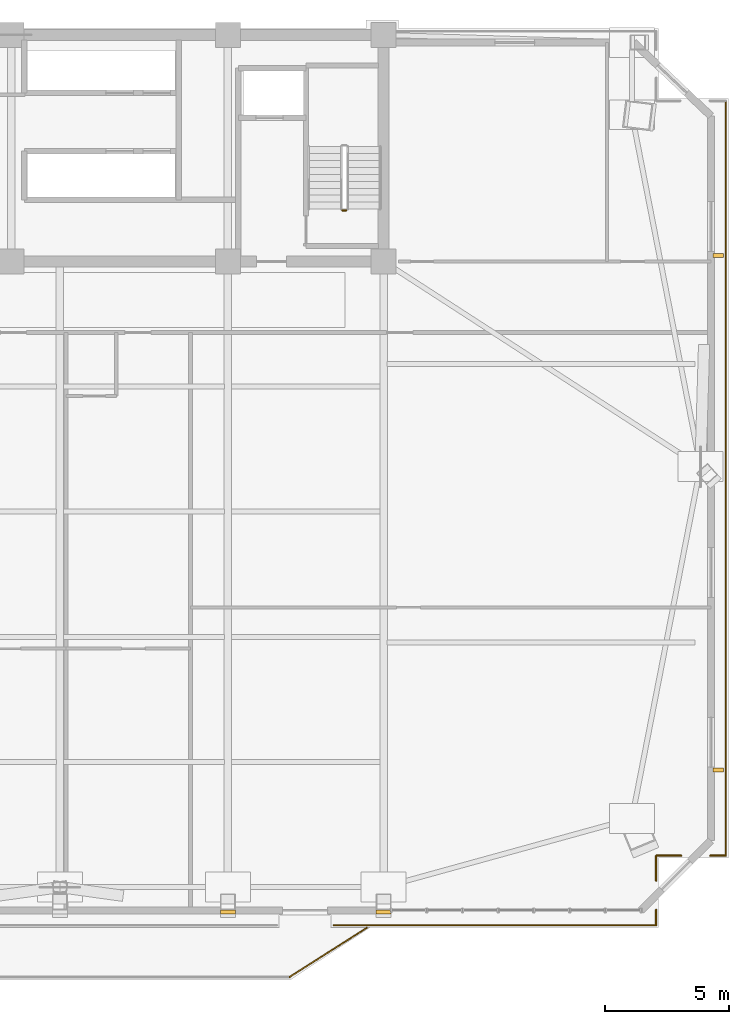
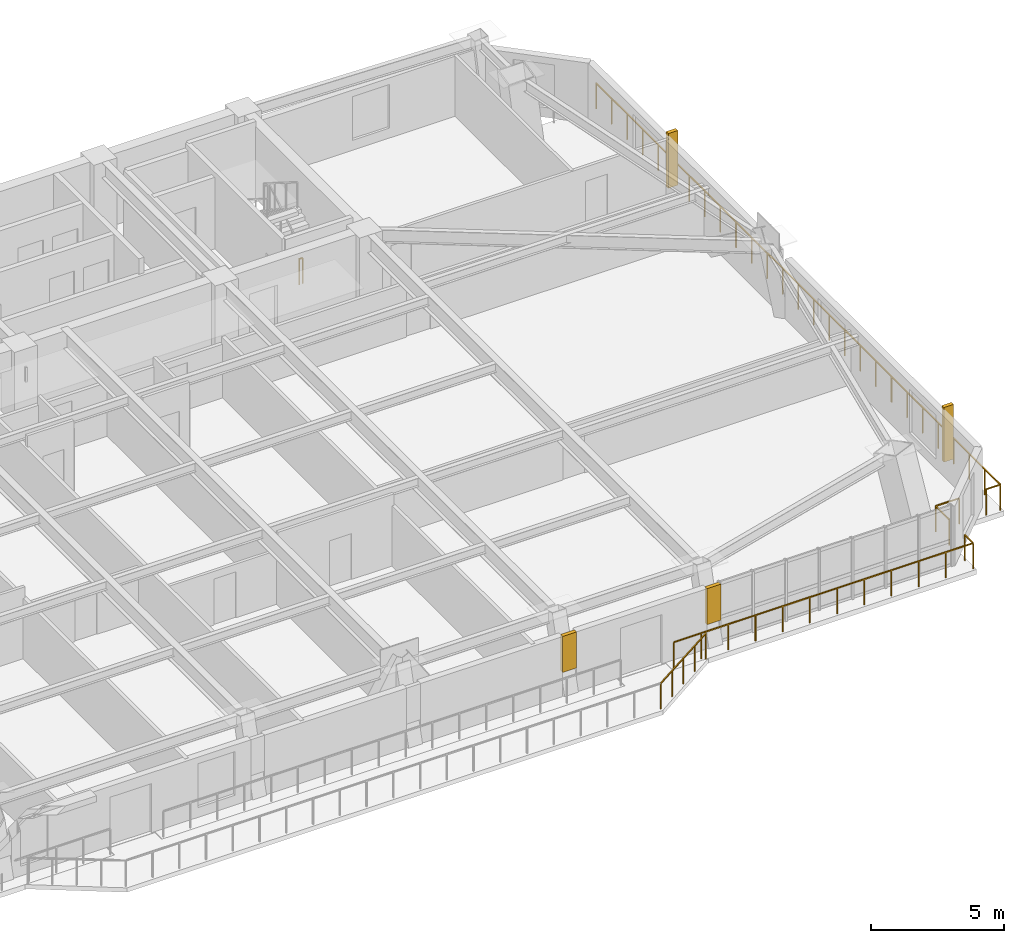
# One storey, part 14 of 16: 8 railings, 2 coverings, 2 shading devices.
"""IFC4 building model written with IfcOpenShell, lengths in metres."""

from ifc_helpers import new_model, si_unit, direction, frame, origin, origin_2d, place, context, subcontext, project, spatial, polyline, rectangle, outline, extrude, source, transform, mapped, material, layer, layer_set, type_object, element, save


model = new_model("IFC4")

# Units and contexts
model_context = context("Model", 3, precision=1e-05, world=origin(), true_north=direction((0.0, 1.0)))
body_context = subcontext(model_context, "Body", "Model", "MODEL_VIEW")
ifc_project = project(units=[si_unit("LENGTHUNIT", "METRE"), si_unit("AREAUNIT", "SQUARE_METRE"), si_unit("VOLUMEUNIT", "CUBIC_METRE"), si_unit("PLANEANGLEUNIT", "RADIAN"), si_unit("MASSUNIT", "GRAM", prefix="KILO")], contexts=[model_context])

# Site, building, storey
site_placement = place(None, origin())
site = spatial("IfcSite", under=ifc_project, at=site_placement, CompositionType="ELEMENT")
building_placement = place(site_placement, origin())
building = spatial("IfcBuilding", under=site, at=building_placement, Name="Giltprow Tower", CompositionType="ELEMENT")
storey_placement = place(building_placement, frame((0.0, 0.0, 209.699951171875)))
storey = spatial("IfcBuildingStorey", under=building, at=storey_placement, Name="L53", CompositionType="ELEMENT", Elevation=209.699951171875)

# Coverings
ifc_material = material(Name="Anodized bronze", Category="metal")
ifc_layer = layer(ifc_material, 0.0400390625, Name="Anodized bronze")
ifc_layer_set = layer_set([ifc_layer], Name="Anodized bronze")
covering_type = type_object("IfcCoveringType", Name="COV-SOFFIT-BRONZE", PredefinedType="CLADDING", material=ifc_layer_set)
covering_1_placement = place(storey_placement, frame((0.0, 0.0, 1.10009765625)))
element("IfcCovering", 1, at=covering_1_placement, inside=storey, type_object=covering_type, Name="L53 Setback Pier Closure Cladding S-4", PredefinedType="CLADDING", context=body_context, shape_type="SweptSolid", body=[
    extrude(outline(polyline([(44.0, 11.24609375), (44.60009765625, 11.24609375), (44.60009765625, 11.406005859375), (44.0, 11.406005859375), (44.0, 11.24609375)])), origin(), (0.0, 0.0, 1.0), 1.64990234375),
])
covering_2_placement = place(storey_placement, frame((0.0, 0.0, 1.10009765625)))
element("IfcCovering", 2, at=covering_2_placement, inside=storey, type_object=covering_type, Name="L53 Setback Pier Closure Cladding S-5", PredefinedType="CLADDING", context=body_context, shape_type="SweptSolid", body=[
    extrude(outline(polyline([(50.25, 11.24609375), (50.85009765625, 11.24609375), (50.85009765625, 11.406005859375), (50.25, 11.406005859375), (50.25, 11.24609375)])), origin(), (0.0, 0.0, 1.0), 1.64990234375),
])

# Railings
railing_type_1 = type_object("IfcRailingType", Name="RAIL-BALC-GUARD-1200", PredefinedType="BALUSTRADE", material=ifc_material)
railing_1_placement = place(storey_placement, frame((46.780029296875, 8.7060546875, 0.0)))
element("IfcRailing", 3, at=railing_1_placement, inside=storey, type_object=railing_type_1, Name="L53 Waterfront Balcony Balustrade Seg 3", PredefinedType="BALUSTRADE", context=body_context, shape_type="SweptSolid", body=[
    extrude(rectangle(XDim=0.048095703125, YDim=0.048095703125, at=origin_2d()), frame((0.0, 0.0, 1.17578125), z_axis=(0.842755646126, 0.538296313309, 0.0), x_axis=(-0.538296313309, 0.842755646126, 0.0)), (0.0, 0.0, 1.0), 3.67822265625),
    extrude(rectangle(XDim=0.0419921875, YDim=0.0419921875, at=origin_2d()), origin(), (0.0, 0.0, 1.0), 1.15185546875),
    extrude(rectangle(XDim=0.0419921875, YDim=0.0419921875, at=origin_2d()), frame((0.77490234375, 0.4951171875, 0.0)), (0.0, 0.0, 1.0), 1.15185546875),
    extrude(rectangle(XDim=0.0419921875, YDim=0.0419921875, at=origin_2d()), frame((1.5498046875, 0.989990234375, 0.0)), (0.0, 0.0, 1.0), 1.15185546875),
    extrude(rectangle(XDim=0.0419921875, YDim=0.0419921875, at=origin_2d()), frame((2.324951171875, 1.48486328125, 0.0)), (0.0, 0.0, 1.0), 1.15185546875),
    extrude(rectangle(XDim=0.0419921875, YDim=0.0419921875, at=origin_2d()), frame((3.099853515625, 1.97998046875, 0.0)), (0.0, 0.0, 1.0), 1.15185546875),
])
railing_2_placement = place(storey_placement, frame((64.298095703125, 43.89990234375, 0.0)))
element("IfcRailing", 4, at=railing_2_placement, inside=storey, type_object=railing_type_1, Name="L53 Corner Apron Edge Balustrade 1", PredefinedType="BALUSTRADE", context=body_context, shape_type="SweptSolid", body=[
    extrude(rectangle(XDim=0.048095703125, YDim=0.048095703125, at=origin_2d()), frame((0.0, 0.0, 1.17578125), z_axis=(0.0, -1.0, 0.0), x_axis=(1.0, 0.0, 0.0)), (0.0, 0.0, 1.0), 30.31396484375),
    extrude(rectangle(XDim=0.0419921875, YDim=0.0419921875, at=origin_2d()), origin(), (0.0, 0.0, 1.0), 1.15185546875),
    extrude(rectangle(XDim=0.0419921875, YDim=0.0419921875, at=origin_2d()), frame((0.0, -1.166015625, 0.0)), (0.0, 0.0, 1.0), 1.15185546875),
    extrude(rectangle(XDim=0.0419921875, YDim=0.0419921875, at=origin_2d()), frame((0.0, -2.331787109375, 0.0)), (0.0, 0.0, 1.0), 1.15185546875),
    extrude(rectangle(XDim=0.0419921875, YDim=0.0419921875, at=origin_2d()), frame((0.0, -3.497802734375, 0.0)), (0.0, 0.0, 1.0), 1.15185546875),
    extrude(rectangle(XDim=0.0419921875, YDim=0.0419921875, at=origin_2d()), frame((0.0, -4.66357421875, 0.0)), (0.0, 0.0, 1.0), 1.15185546875),
    extrude(rectangle(XDim=0.0419921875, YDim=0.0419921875, at=origin_2d()), frame((0.0, -5.82958984375, 0.0)), (0.0, 0.0, 1.0), 1.15185546875),
    extrude(rectangle(XDim=0.0419921875, YDim=0.0419921875, at=origin_2d()), frame((0.0, -6.99560546875, 0.0)), (0.0, 0.0, 1.0), 1.15185546875),
    extrude(rectangle(XDim=0.0419921875, YDim=0.0419921875, at=origin_2d()), frame((0.0, -8.161376953125, 0.0)), (0.0, 0.0, 1.0), 1.15185546875),
    extrude(rectangle(XDim=0.0419921875, YDim=0.0419921875, at=origin_2d()), frame((0.0, -9.327392578125, 0.0)), (0.0, 0.0, 1.0), 1.15185546875),
    extrude(rectangle(XDim=0.0419921875, YDim=0.0419921875, at=origin_2d()), frame((0.0, -10.493408203125, 0.0)), (0.0, 0.0, 1.0), 1.15185546875),
    extrude(rectangle(XDim=0.0419921875, YDim=0.0419921875, at=origin_2d()), frame((0.0, -11.6591796875, 0.0)), (0.0, 0.0, 1.0), 1.15185546875),
    extrude(rectangle(XDim=0.0419921875, YDim=0.0419921875, at=origin_2d()), frame((0.0, -12.8251953125, 0.0)), (0.0, 0.0, 1.0), 1.15185546875),
    extrude(rectangle(XDim=0.0419921875, YDim=0.0419921875, at=origin_2d()), frame((0.0, -13.990966796875, 0.0)), (0.0, 0.0, 1.0), 1.15185546875),
    extrude(rectangle(XDim=0.0419921875, YDim=0.0419921875, at=origin_2d()), frame((0.0, -15.156982421875, 0.0)), (0.0, 0.0, 1.0), 1.15185546875),
    extrude(rectangle(XDim=0.0419921875, YDim=0.0419921875, at=origin_2d()), frame((0.0, -16.322998046875, 0.0)), (0.0, 0.0, 1.0), 1.15185546875),
    extrude(rectangle(XDim=0.0419921875, YDim=0.0419921875, at=origin_2d()), frame((0.0, -17.48876953125, 0.0)), (0.0, 0.0, 1.0), 1.15185546875),
    extrude(rectangle(XDim=0.0419921875, YDim=0.0419921875, at=origin_2d()), frame((0.0, -18.65478515625, 0.0)), (0.0, 0.0, 1.0), 1.15185546875),
    extrude(rectangle(XDim=0.0419921875, YDim=0.0419921875, at=origin_2d()), frame((0.0, -19.820556640625, 0.0)), (0.0, 0.0, 1.0), 1.15185546875),
    extrude(rectangle(XDim=0.0419921875, YDim=0.0419921875, at=origin_2d()), frame((0.0, -20.986572265625, 0.0)), (0.0, 0.0, 1.0), 1.15185546875),
    extrude(rectangle(XDim=0.0419921875, YDim=0.0419921875, at=origin_2d()), frame((0.0, -22.152587890625, 0.0)), (0.0, 0.0, 1.0), 1.15185546875),
    extrude(rectangle(XDim=0.0419921875, YDim=0.0419921875, at=origin_2d()), frame((0.0, -23.318359375, 0.0)), (0.0, 0.0, 1.0), 1.15185546875),
    extrude(rectangle(XDim=0.0419921875, YDim=0.0419921875, at=origin_2d()), frame((0.0, -24.484375, 0.0)), (0.0, 0.0, 1.0), 1.15185546875),
    extrude(rectangle(XDim=0.0419921875, YDim=0.0419921875, at=origin_2d()), frame((0.0, -25.650390625, 0.0)), (0.0, 0.0, 1.0), 1.15185546875),
    extrude(rectangle(XDim=0.0419921875, YDim=0.0419921875, at=origin_2d()), frame((0.0, -26.816162109375, 0.0)), (0.0, 0.0, 1.0), 1.15185546875),
    extrude(rectangle(XDim=0.0419921875, YDim=0.0419921875, at=origin_2d()), frame((0.0, -27.982177734375, 0.0)), (0.0, 0.0, 1.0), 1.15185546875),
    extrude(rectangle(XDim=0.0419921875, YDim=0.0419921875, at=origin_2d()), frame((0.0, -29.14794921875, 0.0)), (0.0, 0.0, 1.0), 1.15185546875),
    extrude(rectangle(XDim=0.0419921875, YDim=0.0419921875, at=origin_2d()), frame((0.0, -30.31396484375, 0.0)), (0.0, 0.0, 1.0), 1.15185546875),
])
railing_3_placement = place(storey_placement, frame((64.298095703125, 13.5859375, 0.0)))
element("IfcRailing", 5, at=railing_3_placement, inside=storey, type_object=railing_type_1, Name="L53 Corner Apron Edge Balustrade 2", PredefinedType="BALUSTRADE", context=body_context, shape_type="SweptSolid", body=[
    extrude(rectangle(XDim=0.048095703125, YDim=0.048095703125, at=origin_2d()), frame((0.0, 0.0, 1.17578125), z_axis=(-1.0, 0.0, 0.0), x_axis=(0.0, -1.0, 0.0)), (0.0, 0.0, 1.0), 0.6201171875),
    extrude(rectangle(XDim=0.0419921875, YDim=0.0419921875, at=origin_2d()), origin(), (0.0, 0.0, 1.0), 1.15185546875),
    extrude(rectangle(XDim=0.0419921875, YDim=0.0419921875, at=origin_2d()), frame((-0.6201171875, 0.0, 0.0)), (0.0, 0.0, 1.0), 1.15185546875),
])
railing_4_placement = place(storey_placement, frame((62.51806640625, 13.5859375, 0.0)))
element("IfcRailing", 6, at=railing_4_placement, inside=storey, type_object=railing_type_1, Name="L53 Corner Apron Edge Balustrade 3", PredefinedType="BALUSTRADE", context=body_context, shape_type="SweptSolid", body=[
    extrude(rectangle(XDim=0.048095703125, YDim=0.048095703125, at=origin_2d()), frame((0.0, 0.0, 1.17578125), z_axis=(-1.0, 0.0, 0.0), x_axis=(0.0, -1.0, 0.0)), (0.0, 0.0, 1.0), 1.02001953125),
    extrude(rectangle(XDim=0.0419921875, YDim=0.0419921875, at=origin_2d()), origin(), (0.0, 0.0, 1.0), 1.15185546875),
    extrude(rectangle(XDim=0.0419921875, YDim=0.0419921875, at=origin_2d()), frame((-1.02001953125, 0.0, 0.0)), (0.0, 0.0, 1.0), 1.15185546875),
])
railing_5_placement = place(storey_placement, frame((61.498046875, 13.5859375, 0.0)))
element("IfcRailing", 7, at=railing_5_placement, inside=storey, type_object=railing_type_1, Name="L53 Corner Apron Edge Balustrade 4", PredefinedType="BALUSTRADE", context=body_context, shape_type="SweptSolid", body=[
    extrude(rectangle(XDim=0.048095703125, YDim=0.048095703125, at=origin_2d()), frame((0.0, 0.0, 1.17578125), z_axis=(0.0, -1.0, 0.0), x_axis=(1.0, 0.0, 0.0)), (0.0, 0.0, 1.0), 1.02001953125),
    extrude(rectangle(XDim=0.0419921875, YDim=0.0419921875, at=origin_2d()), origin(), (0.0, 0.0, 1.0), 1.15185546875),
    extrude(rectangle(XDim=0.0419921875, YDim=0.0419921875, at=origin_2d()), frame((0.0, -1.02001953125, 0.0)), (0.0, 0.0, 1.0), 1.15185546875),
])
railing_6_placement = place(storey_placement, frame((61.498046875, 11.406005859375, 0.0)))
element("IfcRailing", 8, at=railing_6_placement, inside=storey, type_object=railing_type_1, Name="L53 Corner Apron Edge Balustrade 5", PredefinedType="BALUSTRADE", context=body_context, shape_type="SweptSolid", body=[
    extrude(rectangle(XDim=0.048095703125, YDim=0.048095703125, at=origin_2d()), frame((0.0, 0.0, 1.17578125), z_axis=(0.0, -1.0, 0.0), x_axis=(1.0, 0.0, 0.0)), (0.0, 0.0, 1.0), 0.6201171875),
    extrude(rectangle(XDim=0.0419921875, YDim=0.0419921875, at=origin_2d()), origin(), (0.0, 0.0, 1.0), 1.15185546875),
    extrude(rectangle(XDim=0.0419921875, YDim=0.0419921875, at=origin_2d()), frame((0.0, -0.6201171875, 0.0)), (0.0, 0.0, 1.0), 1.15185546875),
])
railing_7_placement = place(storey_placement, frame((61.498046875, 10.785888671875, 0.0)))
element("IfcRailing", 9, at=railing_7_placement, inside=storey, type_object=railing_type_1, Name="L53 Corner Apron Edge Balustrade 6", PredefinedType="BALUSTRADE", context=body_context, shape_type="SweptSolid", body=[
    extrude(rectangle(XDim=0.048095703125, YDim=0.048095703125, at=origin_2d()), frame((0.0, 0.0, 1.17578125), z_axis=(-1.0, 0.0, 0.0), x_axis=(0.0, -1.0, 0.0)), (0.0, 0.0, 1.0), 12.947998046875),
    extrude(rectangle(XDim=0.0419921875, YDim=0.0419921875, at=origin_2d()), origin(), (0.0, 0.0, 1.0), 1.15185546875),
    extrude(rectangle(XDim=0.0419921875, YDim=0.0419921875, at=origin_2d()), frame((-1.177001953125, 0.0, 0.0)), (0.0, 0.0, 1.0), 1.15185546875),
    extrude(rectangle(XDim=0.0419921875, YDim=0.0419921875, at=origin_2d()), frame((-2.354248046875, 0.0, 0.0)), (0.0, 0.0, 1.0), 1.15185546875),
    extrude(rectangle(XDim=0.0419921875, YDim=0.0419921875, at=origin_2d()), frame((-3.53125, 0.0, 0.0)), (0.0, 0.0, 1.0), 1.15185546875),
    extrude(rectangle(XDim=0.0419921875, YDim=0.0419921875, at=origin_2d()), frame((-4.708251953125, 0.0, 0.0)), (0.0, 0.0, 1.0), 1.15185546875),
    extrude(rectangle(XDim=0.0419921875, YDim=0.0419921875, at=origin_2d()), frame((-5.885498046875, 0.0, 0.0)), (0.0, 0.0, 1.0), 1.15185546875),
    extrude(rectangle(XDim=0.0419921875, YDim=0.0419921875, at=origin_2d()), frame((-7.0625, 0.0, 0.0)), (0.0, 0.0, 1.0), 1.15185546875),
    extrude(rectangle(XDim=0.0419921875, YDim=0.0419921875, at=origin_2d()), frame((-8.23974609375, 0.0, 0.0)), (0.0, 0.0, 1.0), 1.15185546875),
    extrude(rectangle(XDim=0.0419921875, YDim=0.0419921875, at=origin_2d()), frame((-9.416748046875, 0.0, 0.0)), (0.0, 0.0, 1.0), 1.15185546875),
    extrude(rectangle(XDim=0.0419921875, YDim=0.0419921875, at=origin_2d()), frame((-10.59375, 0.0, 0.0)), (0.0, 0.0, 1.0), 1.15185546875),
    extrude(rectangle(XDim=0.0419921875, YDim=0.0419921875, at=origin_2d()), frame((-11.77099609375, 0.0, 0.0)), (0.0, 0.0, 1.0), 1.15185546875),
    extrude(rectangle(XDim=0.0419921875, YDim=0.0419921875, at=origin_2d()), frame((-12.947998046875, 0.0, 0.0)), (0.0, 0.0, 1.0), 1.15185546875),
])
railing_type_2 = type_object("IfcRailingType", Name="RAIL-STAIR-GUARD-1200", PredefinedType="GUARDRAIL", material=ifc_material)
railing_8_placement = place(storey_placement, frame((49.06005859375, 39.5, 0.0)))
element("IfcRailing", 10, at=railing_8_placement, inside=storey, type_object=railing_type_2, Name="L53 ST-3 stair guard 4", PredefinedType="GUARDRAIL", context=body_context, shape_type="SweptSolid", body=[
    extrude(rectangle(XDim=0.048095703125, YDim=0.048095703125, at=origin_2d()), frame((0.0, 0.0, 1.17578125), z_axis=(-1.0, 0.0, 0.0), x_axis=(0.0, -1.0, 0.0)), (0.0, 0.0, 1.0), 0.16015625),
    extrude(rectangle(XDim=0.0419921875, YDim=0.0419921875, at=origin_2d()), origin(), (0.0, 0.0, 1.0), 1.15185546875),
    extrude(rectangle(XDim=0.0419921875, YDim=0.0419921875, at=origin_2d()), frame((-0.16015625, 0.0, 0.0)), (0.0, 0.0, 1.0), 1.15185546875),
])

# Shading devices
shading_device_type = type_object("IfcShadingDeviceType", Name="SHD-FIN-420", PredefinedType="USERDEFINED", material=ifc_material)
shared_shape = source(origin(), body_context, "Body", "SweptSolid", [
    extrude(rectangle(XDim=0.419921875, YDim=0.159912109375, at=origin_2d()), origin(), (0.0, 0.0, 1.0), 2.5),
])
for number, where, z_axis, x_axis, name in (
    (11, (63.998046875, 17.012939453125, 0.35009765625), (0.0, 0.0, 1.0), (1.0, 0.0, 0.0), "L53 E Bronze Vertical Fin 1-1"),
    (12, (63.998046875, 37.68310546875, 0.35009765625), (0.0, 0.0, 1.0), (1.0, 0.0, 0.0), "L53 E Bronze Vertical Fin 2-1"),
):
    element("IfcShadingDevice", number, at=place(storey_placement, frame(where, z_axis=z_axis, x_axis=x_axis)), inside=storey, type_object=shading_device_type, Name=name, ObjectType="FIN", PredefinedType="USERDEFINED", context=body_context, shape_type="MappedRepresentation", body=[
        mapped(shared_shape, transform((0.0, 0.0, 0.0), x_axis=(1.0, 0.0, 0.0), y_axis=(0.0, 1.0, 0.0), z_axis=(0.0, 0.0, 1.0), scale=1.0)),
    ])

save(model, "model.ifc")
